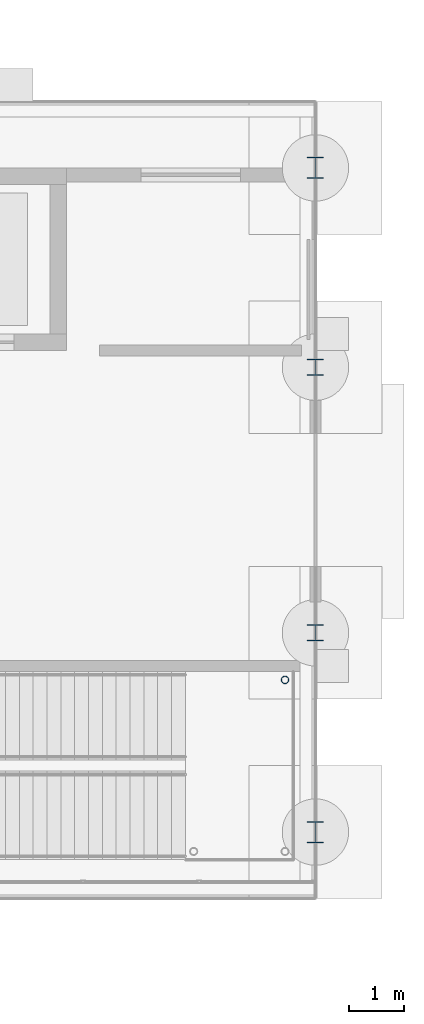
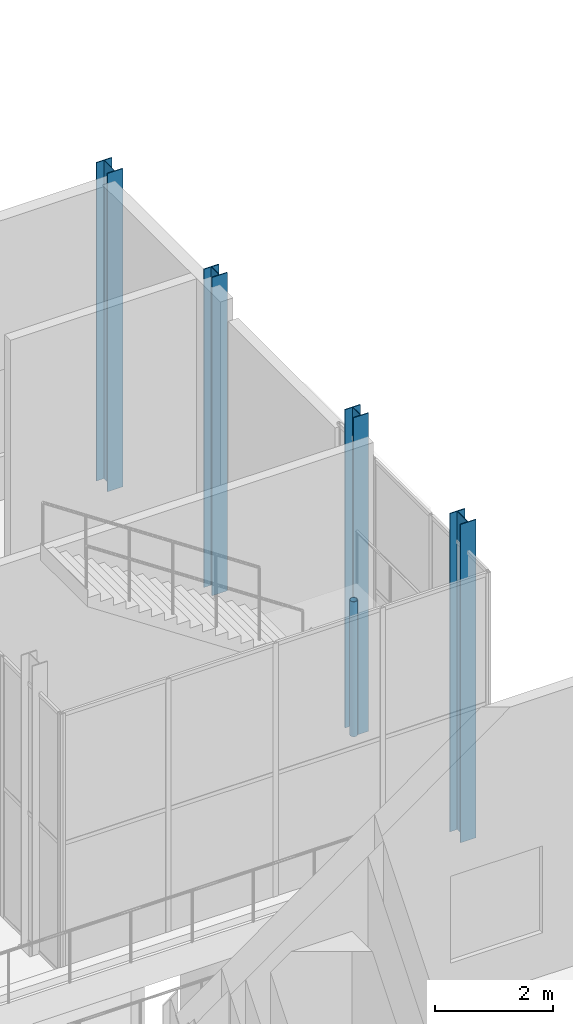
# One storey, part 25 of 212: 5 columns.
"""IFC4 building model written with IfcOpenShell, lengths in metres."""

from ifc_helpers import new_model, si_unit, direction, frame, origin, origin_2d, place, context, subcontext, project, spatial, hollow_circle, i_section, extrude, material, material_profile, profile_set, type_object, element, save


model = new_model("IFC4")

# Units and contexts
model_context = context("Model", 3, precision=1e-05, world=origin(), true_north=direction((0.0, 1.0)))
body_context = subcontext(model_context, "Body", "Model", "MODEL_VIEW")
ifc_project = project(units=[si_unit("LENGTHUNIT", "METRE"), si_unit("AREAUNIT", "SQUARE_METRE"), si_unit("VOLUMEUNIT", "CUBIC_METRE"), si_unit("PLANEANGLEUNIT", "RADIAN"), si_unit("MASSUNIT", "GRAM", prefix="KILO")], contexts=[model_context])

# Site, building, storey
site_placement = place(None, origin())
site = spatial("IfcSite", under=ifc_project, at=site_placement, CompositionType="ELEMENT")
building_placement = place(site_placement, origin())
building = spatial("IfcBuilding", under=site, at=building_placement, Name="Catenary Quay Ferry Terminal", CompositionType="ELEMENT")
storey_placement = place(building_placement, origin())
storey = spatial("IfcBuildingStorey", under=building, at=storey_placement, Name="L00", CompositionType="ELEMENT", Elevation=0.0)

# Columns
ifc_material_1 = material(Name="Steel S355", Category="steel")
ifc_material_profile_1 = material_profile(ifc_material_1, i_section(OverallWidth=0.300048828125, OverallDepth=0.389892578125, WebThickness=0.010986328125, FlangeThickness=0.01904296875, at=origin_2d()), Name="HEA 400")
ifc_profile_set_1 = profile_set([ifc_material_profile_1], Name="Steel S355")
column_type_1 = type_object("IfcColumnType", Name="C7 HEA 400", PredefinedType="COLUMN", material=ifc_profile_set_1)
for number, where, z_axis, x_axis, name in (
    (1, (134.39990234375, 86.39990234375, -0.60009765625), (0.0, 0.0, 1.0), (1.0, 0.0, 0.0), "Column C-BH2Q1 L00"),
    (2, (134.39990234375, 98.39990234375, -0.60009765625), (0.0, 0.0, 1.0), (1.0, 0.0, 0.0), "Column C-BH2Q4 L00"),
):
    element("IfcColumn", number, at=place(storey_placement, frame(where, z_axis=z_axis, x_axis=x_axis)), inside=storey, type_object=column_type_1, Name=name, PredefinedType="COLUMN", context=body_context, shape_type="SweptSolid", body=[
        extrude(i_section(OverallWidth=0.300048828125, OverallDepth=0.389892578125, WebThickness=0.010986328125, FlangeThickness=0.01904296875, at=origin_2d()), origin(), (0.0, 0.0, 1.0), 6.60009765625),
    ])
ifc_material_2 = material(Name="Steel S355", Category="steel")
ifc_material_profile_2 = material_profile(ifc_material_2, i_section(OverallWidth=0.300048828125, OverallDepth=0.300048828125, WebThickness=0.010986328125, FlangeThickness=0.01904296875, at=origin_2d()), Name="HEB 300")
ifc_profile_set_2 = profile_set([ifc_material_profile_2], Name="Steel S355")
column_type_2 = type_object("IfcColumnType", Name="C8 HEB 300", PredefinedType="COLUMN", material=ifc_profile_set_2)
for number, where, z_axis, x_axis, name in (
    (3, (134.39990234375, 90.0, -0.60009765625), (0.0, 0.0, 1.0), (1.0, 0.0, 0.0), "Column C-BH2Q2 L00"),
    (4, (134.39990234375, 94.800048828125, -0.60009765625), (0.0, 0.0, 1.0), (1.0, 0.0, 0.0), "Column C-BH2Q3 L00"),
):
    element("IfcColumn", number, at=place(storey_placement, frame(where, z_axis=z_axis, x_axis=x_axis)), inside=storey, type_object=column_type_2, Name=name, PredefinedType="COLUMN", context=body_context, shape_type="SweptSolid", body=[
        extrude(i_section(OverallWidth=0.300048828125, OverallDepth=0.300048828125, WebThickness=0.010986328125, FlangeThickness=0.01904296875, at=origin_2d()), origin(), (0.0, 0.0, 1.0), 6.60009765625),
    ])
ifc_material_3 = material(Name="Steel S355", Category="steel")
ifc_material_profile_3 = material_profile(ifc_material_3, hollow_circle(Radius=0.06982421875, WallThickness=0.008056640625, at=origin_2d()), Name="CHS 139.7x8")
ifc_profile_set_3 = profile_set([ifc_material_profile_3], Name="Steel S355")
column_type_3 = type_object("IfcColumnType", Name="SP1 CHS 139.7x8", PredefinedType="COLUMN", material=ifc_profile_set_3)
column_placement = place(storey_placement, frame((133.85009765625, 89.14990234375, 0.0), z_axis=(0.0, 0.0, 1.0), x_axis=(1.0, 0.0, 0.0)))
element("IfcColumn", 5, at=column_placement, inside=storey, type_object=column_type_3, Name="Landing post HB2-L00 2", PredefinedType="COLUMN", context=body_context, shape_type="SweptSolid", body=[
    extrude(hollow_circle(Radius=0.06982421875, WallThickness=0.008056640625, at=origin_2d()), origin(), (0.0, 0.0, 1.0), 2.800048828125),
])

save(model, "model.ifc")
